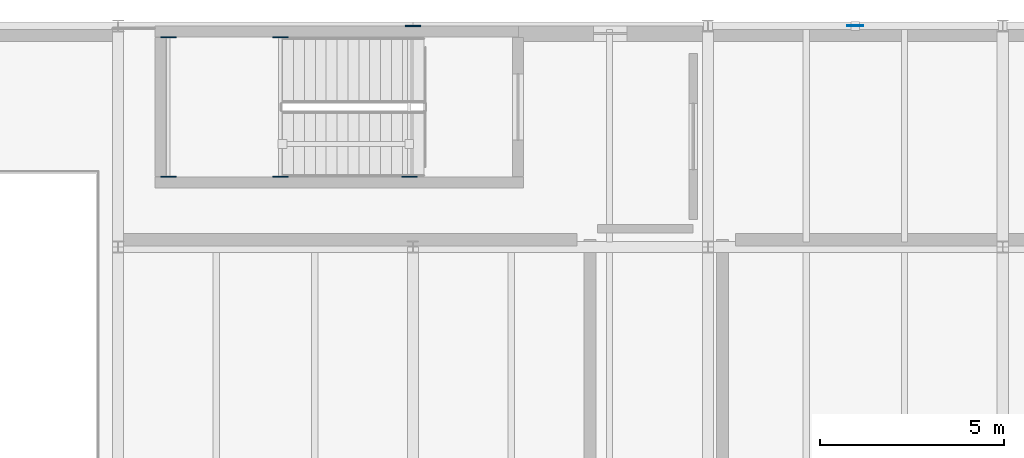
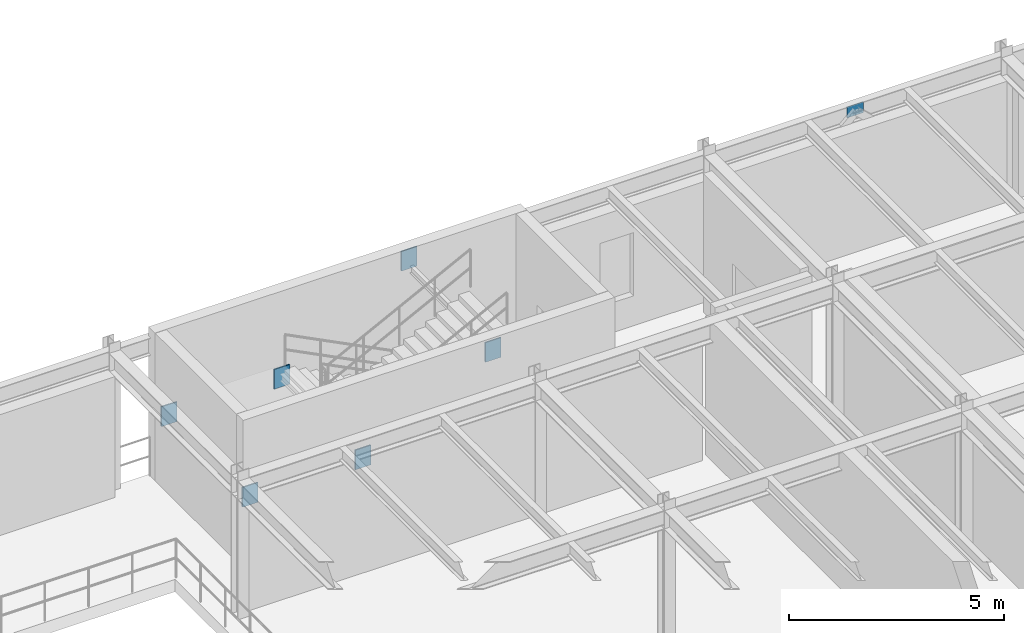
# One storey, part 81 of 122: 7 plates.
"""IFC4 building model written with IfcOpenShell, lengths in metres."""

from ifc_helpers import new_model, si_unit, direction, frame, origin, origin_2d, place, context, subcontext, project, spatial, rectangle, extrude, material, layer, layer_set, type_object, element, save


model = new_model("IFC4")

# Units and contexts
model_context = context("Model", 3, precision=1e-05, world=origin(), true_north=direction((0.0, 1.0)))
body_context = subcontext(model_context, "Body", "Model", "MODEL_VIEW")
ifc_project = project(units=[si_unit("LENGTHUNIT", "METRE"), si_unit("AREAUNIT", "SQUARE_METRE"), si_unit("VOLUMEUNIT", "CUBIC_METRE"), si_unit("PLANEANGLEUNIT", "RADIAN"), si_unit("MASSUNIT", "GRAM", prefix="KILO")], contexts=[model_context])

# Site, building, storey
site_placement = place(None, origin())
site = spatial("IfcSite", under=ifc_project, at=site_placement, CompositionType="ELEMENT")
building_placement = place(site_placement, origin())
building = spatial("IfcBuilding", under=site, at=building_placement, Name="Sundkrona Museum", CompositionType="ELEMENT")
storey_placement = place(building_placement, frame((0.0, 0.0, 5.39990234375)))
storey = spatial("IfcBuildingStorey", under=building, at=storey_placement, Name="L01", CompositionType="ELEMENT", Elevation=5.39990234375)

# Plates
ifc_material = material(Name="Steel S355J2", Category="steel")
ifc_layer_1 = layer(ifc_material, 0.034912109375)
ifc_layer_set_1 = layer_set([ifc_layer_1], Name="Steel S355J2")
plate_type_1 = type_object("IfcPlateType", Name="EP-1", PredefinedType="USERDEFINED", material=ifc_layer_set_1)
for number, where, z_axis, x_axis, name in (
    (1, (144.0, 114.0, 3.41015625), (0.0, 0.0, 1.0), (1.0, 0.0, 0.0), "Core Wall Cast-In Embed Plate BM-L01-X-0959-2"),
    (2, (137.36328125, 109.909912109375, 1.5), (0.0, 0.0, 1.0), (1.0, 0.0, 0.0), "Core Wall Cast-In Embed Plate BM-STLD-ST-5-L01-1A-1"),
    (3, (137.36328125, 113.68994140625, 1.5), (0.0, 0.0, 1.0), (1.0, 0.0, 0.0), "Core Wall Cast-In Embed Plate BM-STLD-ST-5-L01-1A-2"),
    (4, (140.401611328125, 109.909912109375, 1.5), (0.0, 0.0, 1.0), (1.0, 0.0, 0.0), "Core Wall Cast-In Embed Plate BM-STLD-ST-5-L01-1B-1"),
    (5, (140.401611328125, 113.68994140625, 1.5), (0.0, 0.0, 1.0), (1.0, 0.0, 0.0), "Core Wall Cast-In Embed Plate BM-STLD-ST-5-L01-1B-2"),
    (6, (143.89990234375, 109.909912109375, 3.33349609375), (0.0, 0.0, 1.0), (1.0, 0.0, 0.0), "Core Wall Cast-In Embed Plate BM-STHD-ST-5-L01-2-1"),
):
    element("IfcPlate", number, at=place(storey_placement, frame(where, z_axis=z_axis, x_axis=x_axis)), inside=storey, type_object=plate_type_1, Name=name, ObjectType="GUSSET PLATE", PredefinedType="USERDEFINED", context=body_context, shape_type="SweptSolid", body=[
        extrude(rectangle(XDim=0.419921875, YDim=0.034912109375, at=origin_2d()), origin(), (0.0, 0.0, 1.0), 0.56005859375),
    ])
ifc_layer_2 = layer(ifc_material, 0.02197265625)
ifc_layer_set_2 = layer_set([ifc_layer_2], Name="Steel S355J2")
plate_type_2 = type_object("IfcPlateType", Name="GP-5", PredefinedType="USERDEFINED", material=ifc_layer_set_2)
plate_placement = place(storey_placement, frame((156.0, 114.0, 3.565185546875), z_axis=(0.0, 0.0, 1.0), x_axis=(1.0, 0.0, 0.0)))
element("IfcPlate", 7, at=plate_placement, inside=storey, type_object=plate_type_2, Name="L01 Chevron Apex Gusset Plate 031", ObjectType="GUSSET PLATE", PredefinedType="USERDEFINED", context=body_context, shape_type="SweptSolid", body=[
    extrude(rectangle(XDim=0.43994140625, YDim=0.02197265625, at=origin_2d()), origin(), (0.0, 0.0, 1.0), 0.31005859375),
])

save(model, "model.ifc")
